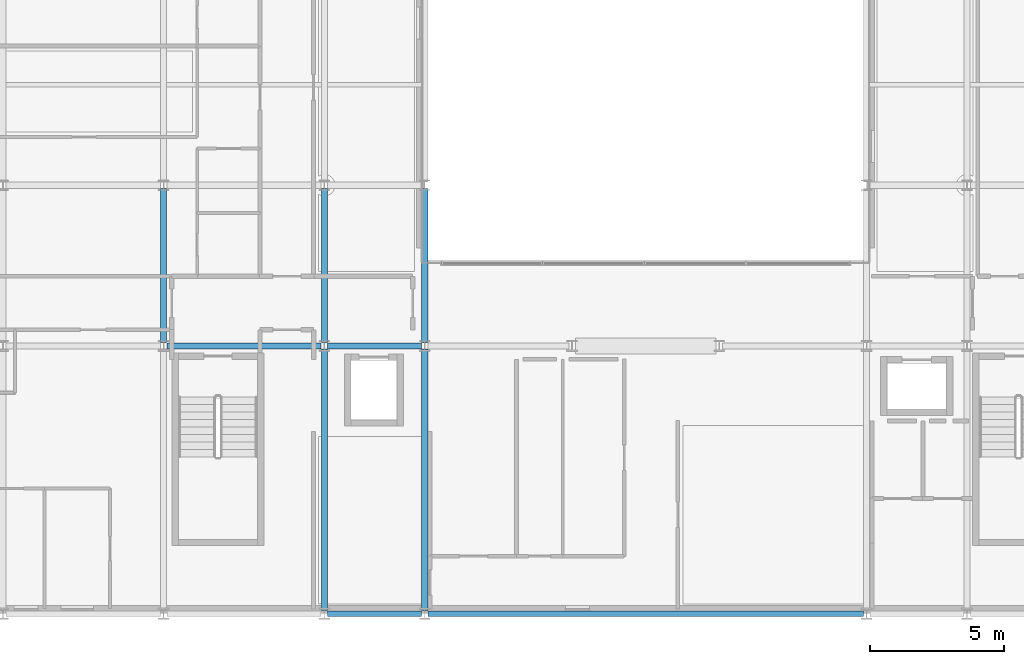
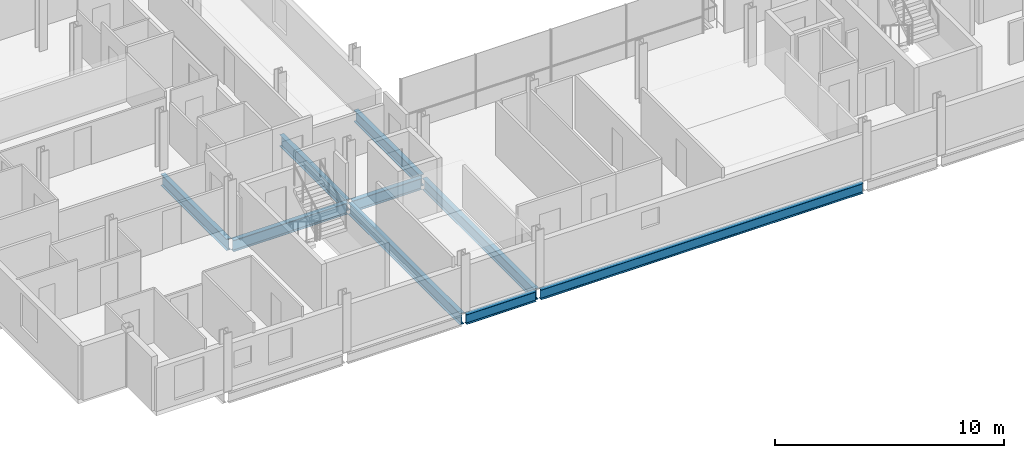
# One storey, part 5 of 40: 9 beams.
"""IFC4 building model written with IfcOpenShell, lengths in metres."""

from ifc_helpers import new_model, si_unit, direction, frame, origin, origin_2d, place, context, subcontext, project, spatial, i_section, extrude, material, material_profile, profile_set, type_object, element, save


model = new_model("IFC4")

# Units and contexts
model_context = context("Model", 3, precision=1e-05, world=origin(), true_north=direction((0.0, 1.0)))
body_context = subcontext(model_context, "Body", "Model", "MODEL_VIEW")
ifc_project = project(units=[si_unit("LENGTHUNIT", "METRE"), si_unit("AREAUNIT", "SQUARE_METRE"), si_unit("VOLUMEUNIT", "CUBIC_METRE"), si_unit("PLANEANGLEUNIT", "RADIAN"), si_unit("MASSUNIT", "GRAM", prefix="KILO")], contexts=[model_context])

# Site, building, storey
site_placement = place(None, origin())
site = spatial("IfcSite", under=ifc_project, at=site_placement, CompositionType="ELEMENT")
building_placement = place(site_placement, origin())
building = spatial("IfcBuilding", under=site, at=building_placement, Name="Brevholm Reach", CompositionType="ELEMENT")
storey_placement = place(building_placement, frame((0.0, 0.0, 160.39990234375)))
storey = spatial("IfcBuildingStorey", under=building, at=storey_placement, Name="L48", CompositionType="ELEMENT", Elevation=160.39990234375)

# Beams
ifc_material_1 = material(Name="Structural Steel S355J2", Category="steel")
ifc_material_profile_1 = material_profile(ifc_material_1, i_section(OverallWidth=0.209228515625, OverallDepth=0.533203125, WebThickness=0.010009765625, FlangeThickness=0.015625, FilletRadius=0.0126953125, at=origin_2d()), Name="UKB 533x210x92")
ifc_profile_set_1 = profile_set([ifc_material_profile_1], Name="Structural Steel S355J2")
beam_type_1 = type_object("IfcBeamType", Name="BM-SP533", PredefinedType="SPANDREL", material=ifc_profile_set_1)
beam_1_placement = place(storey_placement, frame((18.1201171875, 0.0, -0.486572265625), z_axis=(1.0, 0.0, 0.0), x_axis=(0.0, 1.0, 0.0)))
element("IfcBeam", 1, at=beam_1_placement, inside=storey, type_object=beam_type_1, Name="L48 SP-02 Framing Beam", PredefinedType="SPANDREL", context=body_context, shape_type="SweptSolid", body=[
    extrude(i_section(OverallWidth=0.209228515625, OverallDepth=0.533203125, WebThickness=0.010009765625, FlangeThickness=0.015625, FilletRadius=0.0126953125, at=origin_2d()), origin(), (0.0, 0.0, 1.0), 3.509765625),
])
beam_2_placement = place(storey_placement, frame((21.8701171875, 0.0, -0.486572265625), z_axis=(1.0, 0.0, 0.0), x_axis=(0.0, 1.0, 0.0)))
element("IfcBeam", 2, at=beam_2_placement, inside=storey, type_object=beam_type_1, Name="L48 SP-02 Framing Beam", PredefinedType="SPANDREL", context=body_context, shape_type="SweptSolid", body=[
    extrude(i_section(OverallWidth=0.209228515625, OverallDepth=0.533203125, WebThickness=0.010009765625, FlangeThickness=0.015625, FilletRadius=0.0126953125, at=origin_2d()), origin(), (0.0, 0.0, 1.0), 16.259765625),
])
ifc_material_2 = material(Name="Structural Steel S355J2", Category="steel")
ifc_material_profile_2 = material_profile(ifc_material_2, i_section(OverallWidth=0.22900390625, OverallDepth=0.6123046875, WebThickness=0.011962890625, FlangeThickness=0.01953125, FilletRadius=0.0126953125, at=origin_2d()), Name="UKB 610x229x125")
ifc_profile_set_2 = profile_set([ifc_material_profile_2], Name="Structural Steel S355J2")
beam_type_2 = type_object("IfcBeamType", Name="BM-SP610", PredefinedType="SPANDREL", material=ifc_profile_set_2)
beam_3_placement = place(storey_placement, frame((12.1201171875, 10.0, -0.526123046875), z_axis=(1.0, 0.0, 0.0), x_axis=(0.0, 1.0, 0.0)))
element("IfcBeam", 3, at=beam_3_placement, inside=storey, type_object=beam_type_2, Name="L48 SP-01 Framing Beam", PredefinedType="SPANDREL", context=body_context, shape_type="SweptSolid", body=[
    extrude(i_section(OverallWidth=0.22900390625, OverallDepth=0.6123046875, WebThickness=0.011962890625, FlangeThickness=0.01953125, FilletRadius=0.0126953125, at=origin_2d()), origin(), (0.0, 0.0, 1.0), 5.759765625),
])
beam_4_placement = place(storey_placement, frame((18.1201171875, 10.0, -0.526123046875), z_axis=(1.0, 0.0, 0.0), x_axis=(0.0, 1.0, 0.0)))
element("IfcBeam", 4, at=beam_4_placement, inside=storey, type_object=beam_type_2, Name="L48 SP-01 Framing Beam", PredefinedType="SPANDREL", context=body_context, shape_type="SweptSolid", body=[
    extrude(i_section(OverallWidth=0.22900390625, OverallDepth=0.6123046875, WebThickness=0.011962890625, FlangeThickness=0.01953125, FilletRadius=0.0126953125, at=origin_2d()), origin(), (0.0, 0.0, 1.0), 3.509765625),
])
beam_5_placement = place(storey_placement, frame((12.0, 10.1201171875, -0.526123046875), z_axis=(0.0, 1.0, 0.0), x_axis=(-1.0, 0.0, 0.0)))
element("IfcBeam", 5, at=beam_5_placement, inside=storey, type_object=beam_type_2, Name="L48 SP-01 Framing Beam", PredefinedType="SPANDREL", context=body_context, shape_type="SweptSolid", body=[
    extrude(i_section(OverallWidth=0.22900390625, OverallDepth=0.6123046875, WebThickness=0.011962890625, FlangeThickness=0.01953125, FilletRadius=0.0126953125, at=origin_2d()), origin(), (0.0, 0.0, 1.0), 5.759765625),
])
beam_6_placement = place(storey_placement, frame((18.0, 0.1201171875, -0.526123046875), z_axis=(0.0, 1.0, 0.0), x_axis=(-1.0, 0.0, 0.0)))
element("IfcBeam", 6, at=beam_6_placement, inside=storey, type_object=beam_type_2, Name="L48 SP-01 Framing Beam", PredefinedType="SPANDREL", context=body_context, shape_type="SweptSolid", body=[
    extrude(i_section(OverallWidth=0.22900390625, OverallDepth=0.6123046875, WebThickness=0.011962890625, FlangeThickness=0.01953125, FilletRadius=0.0126953125, at=origin_2d()), origin(), (0.0, 0.0, 1.0), 9.759765625),
])
beam_7_placement = place(storey_placement, frame((18.0, 10.1201171875, -0.526123046875), z_axis=(0.0, 1.0, 0.0), x_axis=(-1.0, 0.0, 0.0)))
element("IfcBeam", 7, at=beam_7_placement, inside=storey, type_object=beam_type_2, Name="L48 SP-01 Framing Beam", PredefinedType="SPANDREL", context=body_context, shape_type="SweptSolid", body=[
    extrude(i_section(OverallWidth=0.22900390625, OverallDepth=0.6123046875, WebThickness=0.011962890625, FlangeThickness=0.01953125, FilletRadius=0.0126953125, at=origin_2d()), origin(), (0.0, 0.0, 1.0), 5.759765625),
])
beam_8_placement = place(storey_placement, frame((21.75, 0.1201171875, -0.526123046875), z_axis=(0.0, 1.0, 0.0), x_axis=(-1.0, 0.0, 0.0)))
element("IfcBeam", 8, at=beam_8_placement, inside=storey, type_object=beam_type_2, Name="L48 SP-01 Framing Beam", PredefinedType="SPANDREL", context=body_context, shape_type="SweptSolid", body=[
    extrude(i_section(OverallWidth=0.22900390625, OverallDepth=0.6123046875, WebThickness=0.011962890625, FlangeThickness=0.01953125, FilletRadius=0.0126953125, at=origin_2d()), origin(), (0.0, 0.0, 1.0), 9.759765625),
])
beam_9_placement = place(storey_placement, frame((21.75, 10.1201171875, -0.526123046875), z_axis=(0.0, 1.0, 0.0), x_axis=(-1.0, 0.0, 0.0)))
element("IfcBeam", 9, at=beam_9_placement, inside=storey, type_object=beam_type_2, Name="L48 SP-01 Framing Beam", PredefinedType="SPANDREL", context=body_context, shape_type="SweptSolid", body=[
    extrude(i_section(OverallWidth=0.22900390625, OverallDepth=0.6123046875, WebThickness=0.011962890625, FlangeThickness=0.01953125, FilletRadius=0.0126953125, at=origin_2d()), origin(), (0.0, 0.0, 1.0), 5.759765625),
])

save(model, "model.ifc")
